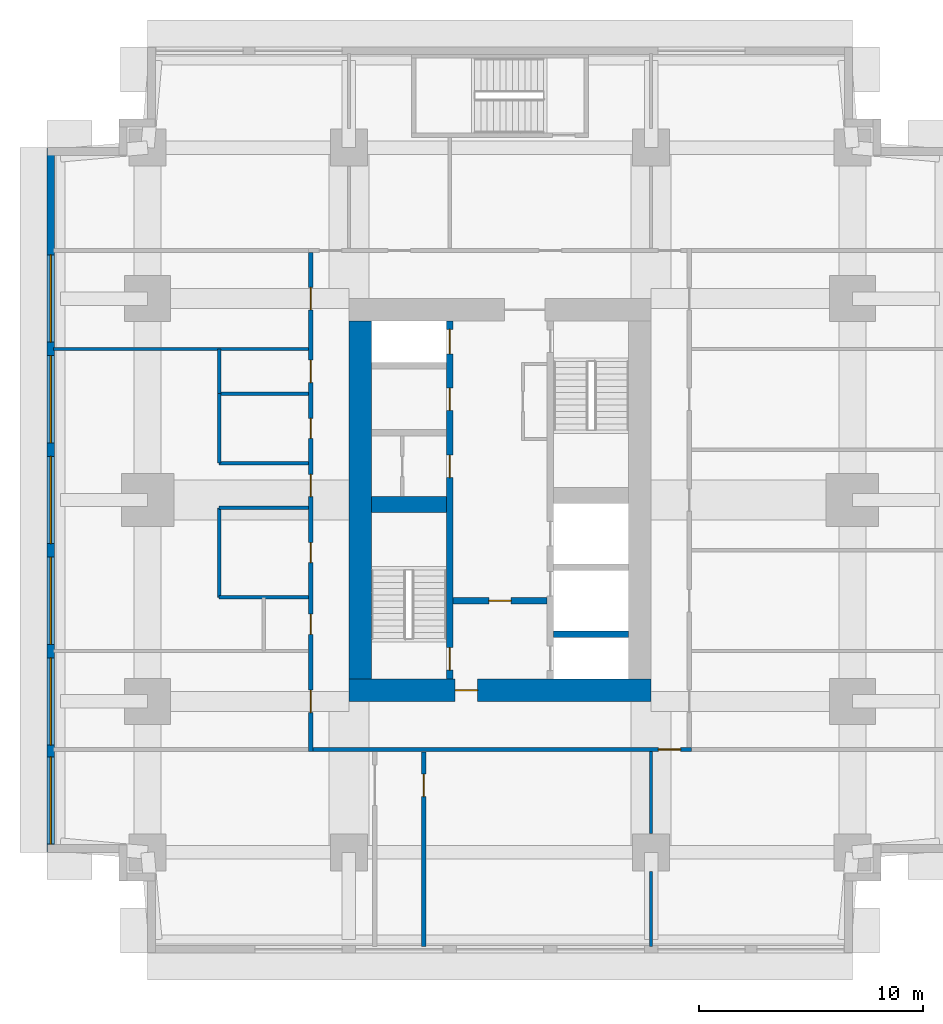
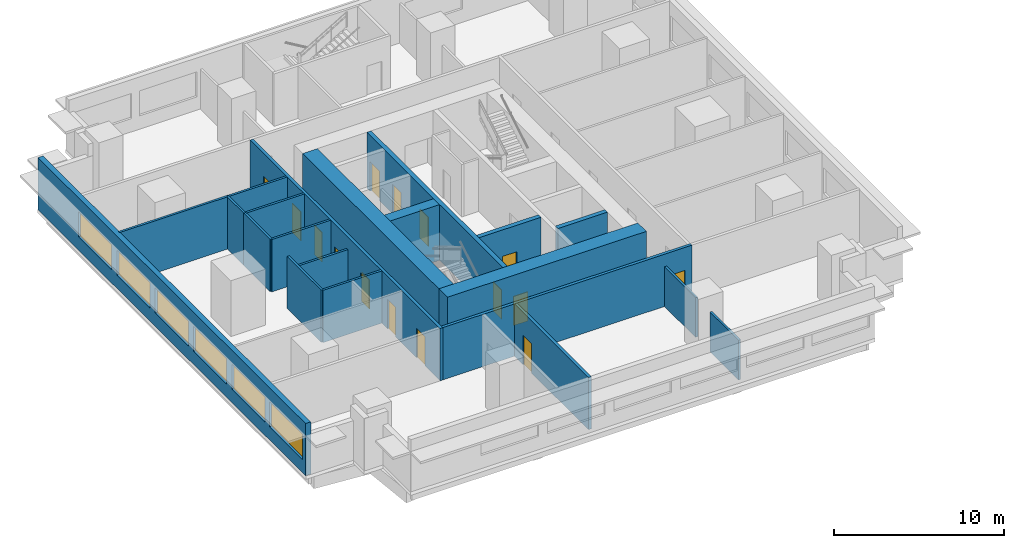
# One storey, part 3 of 11: 20 walls, 15 doors, 6 windows, 21 openings.
"""IFC4 building model written with IfcOpenShell, lengths in metres."""

import ifcopenshell
import ifcopenshell.guid

model = None  # the IFC model being written
_history = None  # IfcOwnerHistory: only IFC2X3 demands one
_inside = {}  # id of a spatial element -> (the spatial element, [elements in it])
_under = {}  # id of a project, library or spatial element -> (it, [spatial elements below it])
_declared = {}  # id of a project -> (the project, [libraries it declares])
_typed = {}  # id of a type object -> (the type object, [elements of that type])
_made_of = {}  # id of a material, layer set ... -> (it, [elements and type objects made of it])


def new_model(schema):
    """Start an empty IFC model of exactly this schema.

    Asked for "IFC4X3", IfcOpenShell would pick the latest addendum, in which some entities
    have other attributes; the version numbers below select the first issue.
    IFC2X3 requires an IfcOwnerHistory on every rooted entity: one is made here for all.
    """
    global model, _history
    if schema == "IFC4X3":
        model = ifcopenshell.file(schema_version=(4, 3, 0, 0))
    else:
        model = ifcopenshell.file(schema=schema)
    _inside.clear()
    _under.clear()
    _declared.clear()
    _typed.clear()
    _made_of.clear()
    _history = None
    if model.schema == "IFC2X3":
        org = make("IfcOrganization", Name="unknown")
        user = make(
            "IfcPersonAndOrganization",
            ThePerson=make("IfcPerson", FamilyName="unknown"),
            TheOrganization=org,
        )
        app = make(
            "IfcApplication",
            ApplicationDeveloper=org,
            Version="unknown",
            ApplicationFullName="unknown",
            ApplicationIdentifier="unknown",
        )
        _history = make(
            "IfcOwnerHistory",
            OwningUser=user,
            OwningApplication=app,
            ChangeAction="ADDED",
            CreationDate=0,
        )
    return model


def make(cls, **values):
    """One entity of the class cls with the attributes given. An attribute that is None is left unset."""
    return model.create_entity(
        cls, **{name: value for name, value in values.items() if value is not None}
    )


def rooted(cls, **values):
    """An entity with a GlobalId (a new one), such as an element, a storey or a relation."""
    return make(cls, GlobalId=ifcopenshell.guid.new(), OwnerHistory=_history, **values)


def si_unit(unit_type, name, prefix=None):
    """IfcSIUnit, for example si_unit("LENGTHUNIT", "METRE", prefix="MILLI")."""
    return make("IfcSIUnit", UnitType=unit_type, Prefix=prefix, Name=name)


def assignment(units):
    """IfcUnitAssignment: the units of a project."""
    return None if units is None else make("IfcUnitAssignment", Units=units)


def point(xyz):
    """IfcCartesianPoint."""
    return None if xyz is None else make("IfcCartesianPoint", Coordinates=xyz)


def direction(xyz):
    """IfcDirection."""
    return None if xyz is None else make("IfcDirection", DirectionRatios=xyz)


def frame(location, z_axis=None, x_axis=None):
    """IfcAxis2Placement3D, a coordinate frame: its origin and axes. An axis left out is left unset."""
    return make(
        "IfcAxis2Placement3D",
        Location=point(location),
        Axis=direction(z_axis),
        RefDirection=direction(x_axis),
    )


def frame_2d(location, x_axis=None):
    """IfcAxis2Placement2D, a coordinate frame in the plane: its origin and x axis."""
    return make(
        "IfcAxis2Placement2D", Location=point(location), RefDirection=direction(x_axis)
    )


def origin():
    """The frame at (0, 0, 0) with its axes left unset."""
    return frame((0.0, 0.0, 0.0))


def place(relative_to, where):
    """IfcLocalPlacement: puts the frame where relative to a parent placement (None: the world)."""
    return make(
        "IfcLocalPlacement", PlacementRelTo=relative_to, RelativePlacement=where
    )


def context(
    kind, dimensions, precision=None, world=None, true_north=None, identifier=None
):
    """IfcGeometricRepresentationContext, for example the 3D "Model" context."""
    return make(
        "IfcGeometricRepresentationContext",
        ContextIdentifier=identifier,
        ContextType=kind,
        CoordinateSpaceDimension=dimensions,
        Precision=precision,
        WorldCoordinateSystem=world,
        TrueNorth=true_north,
    )


def subcontext(parent, identifier, kind, view, scale=None):
    """IfcGeometricRepresentationSubContext, for example "Body" below "Model"."""
    return make(
        "IfcGeometricRepresentationSubContext",
        ContextIdentifier=identifier,
        ContextType=kind,
        ParentContext=parent,
        TargetScale=scale,
        TargetView=view,
    )


def project(units=None, contexts=None):
    """IfcProject with its units and contexts."""
    return rooted(
        "IfcProject",
        Name="project",
        RepresentationContexts=contexts,
        UnitsInContext=assignment(units),
    )


def spatial(cls, under=None, at=None, **own):
    """A site, building, storey or space (cls), placed at a placement, below another one or the project."""
    s = rooted(cls, ObjectPlacement=at, **own)
    if under is not None:
        _under.setdefault(under.id(), (under, []))[1].append(s)
    return s


def profile(cls, at=None, kind="AREA", **sizes):
    """A parametric profile (cls). Its sizes go by their IFC names, for example OverallWidth=200.0."""
    return make(cls, ProfileType=kind, Position=at, **sizes)


def rectangle(**sizes):
    """IfcRectangleProfileDef."""
    return profile("IfcRectangleProfileDef", **sizes)


def extrude(swept, where, along, depth):
    """IfcExtrudedAreaSolid: the profile swept, set in the frame where, extruded along a direction by depth."""
    return make(
        "IfcExtrudedAreaSolid",
        SweptArea=swept,
        Position=where,
        ExtrudedDirection=direction(along),
        Depth=depth,
    )


def shape(context_of_items, identifier, shape_type, items):
    """IfcShapeRepresentation: the items that make up one representation, for example the "Body"."""
    return make(
        "IfcShapeRepresentation",
        ContextOfItems=context_of_items,
        RepresentationIdentifier=identifier,
        RepresentationType=shape_type,
        Items=items,
    )


def material(Name=None, Category=None):
    """IfcMaterial."""
    return make("IfcMaterial", Name=Name, Category=Category)


def layer(
    of_material, thickness, ventilated=None, Name=None, Category=None, Priority=None
):
    """IfcMaterialLayer: one layer of a wall or slab, of a material (None: an air gap)."""
    return make(
        "IfcMaterialLayer",
        Material=of_material,
        LayerThickness=thickness,
        IsVentilated=ventilated,
        Name=Name,
        Category=Category,
        Priority=Priority,
    )


def layer_set(layers, Name=None):
    """IfcMaterialLayerSet."""
    return make("IfcMaterialLayerSet", MaterialLayers=layers, LayerSetName=Name)


def made_of(thing, what):
    """Note that an element or type object is made of a material, layer set ...; save() writes the relation."""
    if what is not None:
        _made_of.setdefault(what.id(), (what, []))[1].append(thing)
    return thing


def type_object(cls, material=None, **own):
    """A type object (cls), such as IfcWallType, which elements share."""
    return made_of(rooted(cls, **own), material)


def element(
    cls,
    number,
    at=None,
    inside=None,
    cuts=None,
    type_object=None,
    material=None,
    context=None,
    identifier="Body",
    shape_type=None,
    held_by="IfcProductDefinitionShape",
    body=None,
    shapes=None,
    **own,
):
    """One element of the class cls, such as IfcWall. Its Tag is "e" and its number.

    at: its placement. inside: the storey or other place that contains it. cuts: it is an
    opening in that element (IfcRelVoidsElement). A single representation is given by context,
    identifier, shape_type and body (its items); several are given by shapes. held_by: the class
    of the entity that holds the representations. save() writes the other relations.
    """
    e = rooted(cls, Tag="e%d" % number, ObjectPlacement=at, **own)
    if body is not None:
        shapes = [shape(context, identifier, shape_type, body)]
    if shapes is not None:
        e.Representation = make(held_by, Representations=shapes)
    if inside is not None:
        _inside.setdefault(inside.id(), (inside, []))[1].append(e)
    if cuts is not None:
        rooted(
            "IfcRelVoidsElement", RelatingBuildingElement=cuts, RelatedOpeningElement=e
        )
    if type_object is not None:
        _typed.setdefault(type_object.id(), (type_object, []))[1].append(e)
    return made_of(e, material)


def fill(opening, filler):
    """IfcRelFillsElement: the door or window that sits in an opening."""
    return rooted(
        "IfcRelFillsElement",
        RelatingOpeningElement=opening,
        RelatedBuildingElement=filler,
    )


def aggregate(whole, parts):
    """IfcRelAggregates: a whole, such as a stair, and the parts it consists of."""
    return rooted("IfcRelAggregates", RelatingObject=whole, RelatedObjects=parts)


def save(model, path):
    """Write the relations noted so far, then the file.

    IfcRelAggregates (storeys below a building ...), IfcRelContainedInSpatialStructure (elements
    in a storey), IfcRelDefinesByType, IfcRelAssociatesMaterial and IfcRelDeclares: one each for
    every whole, place, type object, material and project.
    """
    for whole, parts in _under.values():
        aggregate(whole, parts)
    for where, things in _inside.values():
        rooted(
            "IfcRelContainedInSpatialStructure",
            RelatedElements=things,
            RelatingStructure=where,
        )
    for kind, things in _typed.values():
        rooted("IfcRelDefinesByType", RelatedObjects=things, RelatingType=kind)
    for what, things in _made_of.values():
        rooted("IfcRelAssociatesMaterial", RelatedObjects=things, RelatingMaterial=what)
    for by, libraries in _declared.values():
        rooted("IfcRelDeclares", RelatingContext=by, RelatedDefinitions=libraries)
    model.write(path)


model = new_model("IFC4")

# Units and contexts
model_context = context("Model", 3, precision=1e-05, world=origin(), true_north=direction((0.0, 1.0)))
body_context = subcontext(model_context, "Body", "Model", "MODEL_VIEW")
ifc_project = project(units=[si_unit("LENGTHUNIT", "METRE"), si_unit("AREAUNIT", "SQUARE_METRE"), si_unit("VOLUMEUNIT", "CUBIC_METRE"), si_unit("PLANEANGLEUNIT", "RADIAN"), si_unit("MASSUNIT", "GRAM", prefix="KILO")], contexts=[model_context])

# Site, building, storey
site_placement = place(None, origin())
site = spatial("IfcSite", under=ifc_project, at=site_placement, CompositionType="ELEMENT")
building_placement = place(site_placement, origin())
building = spatial("IfcBuilding", under=site, at=building_placement, Name="Namib Vertical Campus", CompositionType="ELEMENT")
storey_placement = place(building_placement, frame((0.0, 0.0, 181.0)))
storey = spatial("IfcBuildingStorey", under=building, at=storey_placement, Name="L42", CompositionType="ELEMENT", Elevation=181.0)

# Wall, openings, doors
ifc_material_1 = material(Name="Concrete C60/75", Category="concrete")
ifc_layer_1 = layer(ifc_material_1, 0.300048828125)
ifc_layer_set_1 = layer_set([ifc_layer_1], Name="Concrete C60/75")
wall_type_1 = type_object("IfcWallType", Name="Core inner wall 300", PredefinedType="SHEAR", material=ifc_layer_set_1)
wall_1_placement = place(storey_placement, frame((18.0, 12.25, 0.0), z_axis=(0.0, 0.0, 1.0), x_axis=(0.0, 1.0, 0.0)))
wall_1 = element("IfcWall", 1, at=wall_1_placement, inside=storey, type_object=wall_type_1, Name="Core inner wall A L42 W1", PredefinedType="SHEAR", context=body_context, shape_type="SweptSolid", body=[
    extrude(rectangle(XDim=16.0, YDim=0.300048828125, at=frame_2d((8.0, 0.0))), origin(), (0.0, 0.0, 1.0), 4.0),
])
opening_1_placement = place(wall_1_placement, frame((0.39990234375, 0.0, 0.0)))
opening_1 = element("IfcOpeningElement", 2, at=opening_1_placement, cuts=wall_1, Name="Opening FD1", PredefinedType="OPENING", context=body_context, shape_type="SweptSolid", body=[
    extrude(rectangle(XDim=1.0, YDim=2.10009765625, at=frame_2d((0.5, 1.050048828125))), frame((0.0, 0.159912109375, 0.0), z_axis=(0.0, -1.0, 0.0), x_axis=(1.0, 0.0, 0.0)), (0.0, 0.0, 1.0), 0.320068359375),
])
opening_2_placement = place(wall_1_placement, frame((14.52490234375, 0.0, 0.0)))
opening_2 = element("IfcOpeningElement", 3, at=opening_2_placement, cuts=wall_1, Name="Opening LD1", PredefinedType="OPENING", context=body_context, shape_type="SweptSolid", body=[
    extrude(rectangle(XDim=1.10009765625, YDim=2.10009765625, at=frame_2d((0.550048828125, 1.050048828125))), frame((0.0, 0.159912109375, 0.0), z_axis=(0.0, -1.0, 0.0), x_axis=(1.0, 0.0, 0.0)), (0.0, 0.0, 1.0), 0.320068359375),
])
opening_3_placement = place(wall_1_placement, frame((9.0, 0.0, 0.0)))
opening_3 = element("IfcOpeningElement", 4, at=opening_3_placement, cuts=wall_1, Name="Opening D1", PredefinedType="OPENING", context=body_context, shape_type="SweptSolid", body=[
    extrude(rectangle(XDim=1.0, YDim=2.10009765625, at=frame_2d((0.5, 1.050048828125))), frame((0.0, 0.159912109375, 0.0), z_axis=(0.0, -1.0, 0.0), x_axis=(1.0, 0.0, 0.0)), (0.0, 0.0, 1.0), 0.320068359375),
])
opening_4_placement = place(wall_1_placement, frame((12.0, 0.0, 0.0)))
opening_4 = element("IfcOpeningElement", 5, at=opening_4_placement, cuts=wall_1, Name="Opening D1", PredefinedType="OPENING", context=body_context, shape_type="SweptSolid", body=[
    extrude(rectangle(XDim=1.0, YDim=2.10009765625, at=frame_2d((0.5, 1.050048828125))), frame((0.0, 0.159912109375, 0.0), z_axis=(0.0, -1.0, 0.0), x_axis=(1.0, 0.0, 0.0)), (0.0, 0.0, 1.0), 0.320068359375),
])
ifc_material_2 = material(Name="Timber door leaf", Category="wood")
door_type_1 = type_object("IfcDoorType", Name="Door single 1000x2100", OperationType="SINGLE_SWING_LEFT", PredefinedType="DOOR", material=ifc_material_2)
door_1_placement = place(opening_3_placement, origin())
door_1 = element("IfcDoor", 6, at=door_1_placement, inside=storey, type_object=door_type_1, Name="Door D1 Store A L42 P1", OperationType="SINGLE_SWING_LEFT", OverallHeight=2.10009765625, OverallWidth=1.0, PredefinedType="DOOR", context=body_context, shape_type="SweptSolid", body=[
    extrude(rectangle(XDim=1.0, YDim=2.10009765625, at=frame_2d((0.5, 1.050048828125))), frame((0.0, 0.02490234375, 0.0), z_axis=(0.0, -1.0, 0.0), x_axis=(1.0, 0.0, 0.0)), (0.0, 0.0, 1.0), 0.050048828125),
])
fill(opening_3, door_1)
door_2_placement = place(opening_4_placement, origin())
door_2 = element("IfcDoor", 7, at=door_2_placement, inside=storey, type_object=door_type_1, Name="Door D1 Cleaners' store A L42 P2", OperationType="SINGLE_SWING_LEFT", OverallHeight=2.10009765625, OverallWidth=1.0, PredefinedType="DOOR", context=body_context, shape_type="SweptSolid", body=[
    extrude(rectangle(XDim=1.0, YDim=2.10009765625, at=frame_2d((0.5, 1.050048828125))), frame((0.0, 0.02490234375, 0.0), z_axis=(0.0, -1.0, 0.0), x_axis=(1.0, 0.0, 0.0)), (0.0, 0.0, 1.0), 0.050048828125),
])
fill(opening_4, door_2)
ifc_material_3 = material(Name="Steel fire door", Category="steel")
door_type_2 = type_object("IfcDoorType", Name="Fire door 1000x2100", OperationType="SINGLE_SWING_RIGHT", PredefinedType="DOOR", material=ifc_material_3)
door_3_placement = place(opening_1_placement, origin())
door_3 = element("IfcDoor", 8, at=door_3_placement, inside=storey, type_object=door_type_2, Name="Stair door FD1 A L42 S1", OperationType="SINGLE_SWING_LEFT", OverallHeight=2.10009765625, OverallWidth=1.0, PredefinedType="DOOR", context=body_context, shape_type="SweptSolid", body=[
    extrude(rectangle(XDim=1.0, YDim=2.10009765625, at=frame_2d((0.5, 1.050048828125))), frame((0.0, 0.02490234375, 0.0), z_axis=(0.0, -1.0, 0.0), x_axis=(1.0, 0.0, 0.0)), (0.0, 0.0, 1.0), 0.050048828125),
])
fill(opening_1, door_3)
ifc_material_4 = material(Name="Stainless steel lift door", Category="steel")
door_type_3 = type_object("IfcDoorType", Name="Lift landing door 1100x2100", OperationType="DOUBLE_DOOR_SLIDING", PredefinedType="DOOR", material=ifc_material_4)
door_4_placement = place(opening_2_placement, origin())
door_4 = element("IfcDoor", 9, at=door_4_placement, inside=storey, type_object=door_type_3, Name="Lift landing door LD1 A-P3 L42", OperationType="DOUBLE_DOOR_SLIDING", OverallHeight=2.10009765625, OverallWidth=1.10009765625, PredefinedType="DOOR", context=body_context, shape_type="SweptSolid", body=[
    extrude(rectangle(XDim=1.10009765625, YDim=2.10009765625, at=frame_2d((0.550048828125, 1.050048828125))), frame((0.0, 0.02490234375, 0.0), z_axis=(0.0, -1.0, 0.0), x_axis=(1.0, 0.0, 0.0)), (0.0, 0.0, 1.0), 0.050048828125),
])
fill(opening_2, door_4)

# Wall, opening, door
wall_2_placement = place(storey_placement, frame((18.14990234375, 15.75, 0.0), z_axis=(0.0, 0.0, 1.0), x_axis=(1.0, 0.0, 0.0)))
wall_2 = element("IfcWall", 10, at=wall_2_placement, inside=storey, type_object=wall_type_1, Name="Core inner wall A L42 W4", PredefinedType="SHEAR", context=body_context, shape_type="SweptSolid", body=[
    extrude(rectangle(XDim=4.2001953125, YDim=0.300048828125, at=frame_2d((2.10009765625, 0.0))), origin(), (0.0, 0.0, 1.0), 4.0),
])
opening_5_placement = place(wall_2_placement, frame((1.60009765625, 0.0, 0.0)))
opening_5 = element("IfcOpeningElement", 11, at=opening_5_placement, cuts=wall_2, Name="Opening FD5", PredefinedType="OPENING", context=body_context, shape_type="SweptSolid", body=[
    extrude(rectangle(XDim=1.0, YDim=2.10009765625, at=frame_2d((0.5, 1.050048828125))), frame((0.0, 0.159912109375, 0.0), z_axis=(0.0, -1.0, 0.0), x_axis=(1.0, 0.0, 0.0)), (0.0, 0.0, 1.0), 0.320068359375),
])
ifc_material_5 = material(Name="Steel fire door", Category="steel")
door_type_4 = type_object("IfcDoorType", Name="Fire door 1000x2100 120 min", OperationType="SINGLE_SWING_RIGHT", PredefinedType="DOOR", material=ifc_material_5)
door_5_placement = place(opening_5_placement, frame((1.0, 0.0, 0.0), z_axis=(0.0, 0.0, 1.0), x_axis=(-1.0, 0.0, 0.0)))
door_5 = element("IfcDoor", 12, at=door_5_placement, inside=storey, type_object=door_type_4, Name="Lobby door FD5 A L42", OperationType="SINGLE_SWING_RIGHT", OverallHeight=2.10009765625, OverallWidth=1.0, PredefinedType="DOOR", context=body_context, shape_type="SweptSolid", body=[
    extrude(rectangle(XDim=1.0, YDim=2.10009765625, at=frame_2d((0.5, 1.050048828125))), frame((0.0, 0.02490234375, 0.0), z_axis=(0.0, -1.0, 0.0), x_axis=(1.0, 0.0, 0.0)), (0.0, 0.0, 1.0), 0.050048828125),
])
fill(opening_5, door_5)

# Walls
wall_3_placement = place(storey_placement, frame((22.64990234375, 14.25, 0.0), z_axis=(0.0, 0.0, 1.0), x_axis=(1.0, 0.0, 0.0)))
element("IfcWall", 13, at=wall_3_placement, inside=storey, type_object=wall_type_1, Name="Core inner wall A L42 W5", PredefinedType="SHEAR", context=body_context, shape_type="SweptSolid", body=[
    extrude(rectangle(XDim=3.35009765625, YDim=0.300048828125, at=frame_2d((1.675048828125, 0.0))), origin(), (0.0, 0.0, 1.0), 4.0),
])
ifc_material_6 = material(Name="Concrete C60/75", Category="concrete")
ifc_layer_2 = layer(ifc_material_6, 0.699951171875)
ifc_layer_set_2 = layer_set([ifc_layer_2], Name="Concrete C60/75")
wall_type_2 = type_object("IfcWallType", Name="Core shear wall 700", PredefinedType="SHEAR", material=ifc_layer_set_2)
wall_4_placement = place(storey_placement, frame((14.5, 20.050048828125, 0.0), z_axis=(0.0, 0.0, 1.0), x_axis=(1.0, 0.0, 0.0)))
element("IfcWall", 14, at=wall_4_placement, inside=storey, type_object=wall_type_2, Name="Core shear wall A L42 W3", PredefinedType="SHEAR", context=body_context, shape_type="SweptSolid", body=[
    extrude(rectangle(XDim=3.35009765625, YDim=0.699951171875, at=frame_2d((1.675048828125, 0.0))), origin(), (0.0, 0.0, 1.0), 4.0),
])

# Wall, opening, door
ifc_material_7 = material(Name="Concrete C60/75", Category="concrete")
ifc_layer_3 = layer(ifc_material_7, 1.0)
ifc_layer_set_3 = layer_set([ifc_layer_3], Name="Concrete C60/75")
wall_type_3 = type_object("IfcWallType", Name="Core wall 1000", PredefinedType="SHEAR", material=ifc_layer_set_3)
wall_5_placement = place(storey_placement, frame((13.5, 11.75, 0.0), z_axis=(0.0, 0.0, 1.0), x_axis=(1.0, 0.0, 0.0)))
wall_5 = element("IfcWall", 15, at=wall_5_placement, inside=storey, type_object=wall_type_3, Name="Core wall A L42 1", PredefinedType="SHEAR", context=body_context, shape_type="SweptSolid", body=[
    extrude(rectangle(XDim=13.5, YDim=1.0, at=frame_2d((6.75, 0.0))), origin(), (0.0, 0.0, 1.0), 4.0),
])
opening_6_placement = place(wall_5_placement, frame((4.75, 0.0, 0.0)))
opening_6 = element("IfcOpeningElement", 16, at=opening_6_placement, cuts=wall_5, Name="Opening FD5", PredefinedType="OPENING", context=body_context, shape_type="SweptSolid", body=[
    extrude(rectangle(XDim=1.0, YDim=2.10009765625, at=frame_2d((0.5, 1.050048828125))), frame((0.0, 0.510009765625, 0.0), z_axis=(0.0, -1.0, 0.0), x_axis=(1.0, 0.0, 0.0)), (0.0, 0.0, 1.0), 1.02001953125),
])
door_6_placement = place(opening_6_placement, origin())
door_6 = element("IfcDoor", 17, at=door_6_placement, inside=storey, type_object=door_type_4, Name="Firefighting lobby door FD5 A L42", OperationType="SINGLE_SWING_LEFT", OverallHeight=2.10009765625, OverallWidth=1.0, PredefinedType="DOOR", context=body_context, shape_type="SweptSolid", body=[
    extrude(rectangle(XDim=1.0, YDim=2.10009765625, at=frame_2d((0.5, 1.050048828125))), frame((0.0, 0.02490234375, 0.0), z_axis=(0.0, -1.0, 0.0), x_axis=(1.0, 0.0, 0.0)), (0.0, 0.0, 1.0), 0.050048828125),
])
fill(opening_6, door_6)

# Wall
wall_6_placement = place(storey_placement, frame((14.0, 28.25, 0.0), z_axis=(0.0, 0.0, 1.0), x_axis=(0.0, -1.0, 0.0)))
element("IfcWall", 18, at=wall_6_placement, inside=storey, type_object=wall_type_3, Name="Core wall A L42 4", PredefinedType="SHEAR", context=body_context, shape_type="SweptSolid", body=[
    extrude(rectangle(XDim=16.0, YDim=1.0, at=frame_2d((8.0, 0.0))), origin(), (0.0, 0.0, 1.0), 4.0),
])

# Wall, opening, door
ifc_material_8 = material(Name="Concrete masonry", Category="masonry")
ifc_layer_4 = layer(ifc_material_8, 0.199951171875)
ifc_layer_set_4 = layer_set([ifc_layer_4], Name="Corridor wall 200")
wall_type_4 = type_object("IfcWallType", Name="Corridor wall 200", PredefinedType="SOLIDWALL", material=ifc_layer_set_4)
wall_7_placement = place(storey_placement, frame((11.89990234375, 9.10009765625, 0.0), z_axis=(0.0, 0.0, 1.0), x_axis=(1.0, 0.0, 0.0)))
wall_7 = element("IfcWall", 19, at=wall_7_placement, inside=storey, type_object=wall_type_4, Name="Corridor wall A L42 CS", PredefinedType="SOLIDWALL", context=body_context, shape_type="SweptSolid", body=[
    extrude(rectangle(XDim=16.900146484375, YDim=0.199951171875, at=frame_2d((8.4501953125, 0.0))), origin(), (0.0, 0.0, 1.0), 3.75),
])
opening_7_placement = place(wall_7_placement, frame((15.425048828125, 0.0, 0.0)))
opening_7 = element("IfcOpeningElement", 20, at=opening_7_placement, cuts=wall_7, Name="Opening CD1", PredefinedType="OPENING", context=body_context, shape_type="SweptSolid", body=[
    extrude(rectangle(XDim=1.0, YDim=2.10009765625, at=frame_2d((0.5, 1.050048828125))), frame((0.0, 0.10986328125, 0.0), z_axis=(0.0, -1.0, 0.0), x_axis=(1.0, 0.0, 0.0)), (0.0, 0.0, 1.0), 0.219970703125),
])
ifc_material_9 = material(Name="Timber fire door leaf", Category="wood")
door_type_5 = type_object("IfcDoorType", Name="Corridor door 1000x2100 20 min", OperationType="SINGLE_SWING_LEFT", PredefinedType="DOOR", material=ifc_material_9)
door_7_placement = place(opening_7_placement, frame((1.0, 0.0, 0.0), z_axis=(0.0, 0.0, 1.0), x_axis=(-1.0, 0.0, 0.0)))
door_7 = element("IfcDoor", 21, at=door_7_placement, inside=storey, type_object=door_type_5, Name="Door CD1 A42-03", OperationType="SINGLE_SWING_RIGHT", OverallHeight=2.10009765625, OverallWidth=1.0, PredefinedType="DOOR", context=body_context, shape_type="SweptSolid", body=[
    extrude(rectangle(XDim=1.0, YDim=2.10009765625, at=frame_2d((0.5, 1.050048828125))), frame((0.0, 0.02490234375, 0.0), z_axis=(0.0, -1.0, 0.0), x_axis=(1.0, 0.0, 0.0)), (0.0, 0.0, 1.0), 0.050048828125),
])
fill(opening_7, door_7)

# Wall, openings, doors
wall_8_placement = place(storey_placement, frame((11.800048828125, 31.300048828125, 0.0), z_axis=(0.0, 0.0, 1.0), x_axis=(0.0, -1.0, 0.0)))
wall_8 = element("IfcWall", 22, at=wall_8_placement, inside=storey, type_object=wall_type_4, Name="Corridor wall A L42 CW", PredefinedType="SOLIDWALL", context=body_context, shape_type="SweptSolid", body=[
    extrude(rectangle(XDim=22.300048828125, YDim=0.199951171875, at=frame_2d((11.14990234375, 0.0))), origin(), (0.0, 0.0, 1.0), 3.75),
])
opening_8_placement = place(wall_8_placement, frame((19.550048828125, 0.0, 0.0)))
opening_8 = element("IfcOpeningElement", 23, at=opening_8_placement, cuts=wall_8, Name="Opening CD1", PredefinedType="OPENING", context=body_context, shape_type="SweptSolid", body=[
    extrude(rectangle(XDim=1.0, YDim=2.10009765625, at=frame_2d((0.5, 1.050048828125))), frame((0.0, 0.10986328125, 0.0), z_axis=(0.0, -1.0, 0.0), x_axis=(1.0, 0.0, 0.0)), (0.0, 0.0, 1.0), 0.219970703125),
])
opening_9_placement = place(wall_8_placement, frame((16.14990234375, 0.0, 0.0)))
opening_9 = element("IfcOpeningElement", 24, at=opening_9_placement, cuts=wall_8, Name="Opening CD3", PredefinedType="OPENING", context=body_context, shape_type="SweptSolid", body=[
    extrude(rectangle(XDim=0.89990234375, YDim=2.10009765625, at=frame_2d((0.449951171875, 1.050048828125))), frame((0.0, 0.10986328125, 0.0), z_axis=(0.0, -1.0, 0.0), x_axis=(1.0, 0.0, 0.0)), (0.0, 0.0, 1.0), 0.219970703125),
])
opening_10_placement = place(wall_8_placement, frame((12.949951171875, 0.0, 0.0)))
opening_10 = element("IfcOpeningElement", 25, at=opening_10_placement, cuts=wall_8, Name="Opening CD3", PredefinedType="OPENING", context=body_context, shape_type="SweptSolid", body=[
    extrude(rectangle(XDim=0.89990234375, YDim=2.10009765625, at=frame_2d((0.449951171875, 1.050048828125))), frame((0.0, 0.10986328125, 0.0), z_axis=(0.0, -1.0, 0.0), x_axis=(1.0, 0.0, 0.0)), (0.0, 0.0, 1.0), 0.219970703125),
])
opening_11_placement = place(wall_8_placement, frame((7.39990234375, 0.0, 0.0)))
opening_11 = element("IfcOpeningElement", 26, at=opening_11_placement, cuts=wall_8, Name="Opening CD3", PredefinedType="OPENING", context=body_context, shape_type="SweptSolid", body=[
    extrude(rectangle(XDim=0.89990234375, YDim=2.10009765625, at=frame_2d((0.449951171875, 1.050048828125))), frame((0.0, 0.10986328125, 0.0), z_axis=(0.0, -1.0, 0.0), x_axis=(1.0, 0.0, 0.0)), (0.0, 0.0, 1.0), 0.219970703125),
])
opening_12_placement = place(wall_8_placement, frame((4.800048828125, 0.0, 0.0)))
opening_12 = element("IfcOpeningElement", 27, at=opening_12_placement, cuts=wall_8, Name="Opening CD1", PredefinedType="OPENING", context=body_context, shape_type="SweptSolid", body=[
    extrude(rectangle(XDim=1.0, YDim=2.10009765625, at=frame_2d((0.5, 1.050048828125))), frame((0.0, 0.10986328125, 0.0), z_axis=(0.0, -1.0, 0.0), x_axis=(1.0, 0.0, 0.0)), (0.0, 0.0, 1.0), 0.219970703125),
])
opening_13_placement = place(wall_8_placement, frame((9.89990234375, 0.0, 0.0)))
opening_13 = element("IfcOpeningElement", 28, at=opening_13_placement, cuts=wall_8, Name="Opening CD1", PredefinedType="OPENING", context=body_context, shape_type="SweptSolid", body=[
    extrude(rectangle(XDim=1.0, YDim=2.10009765625, at=frame_2d((0.5, 1.050048828125))), frame((0.0, 0.10986328125, 0.0), z_axis=(0.0, -1.0, 0.0), x_axis=(1.0, 0.0, 0.0)), (0.0, 0.0, 1.0), 0.219970703125),
])
opening_14_placement = place(wall_8_placement, frame((1.550048828125, 0.0, 0.0)))
opening_14 = element("IfcOpeningElement", 29, at=opening_14_placement, cuts=wall_8, Name="Opening CD1", PredefinedType="OPENING", context=body_context, shape_type="SweptSolid", body=[
    extrude(rectangle(XDim=1.0, YDim=2.10009765625, at=frame_2d((0.5, 1.050048828125))), frame((0.0, 0.10986328125, 0.0), z_axis=(0.0, -1.0, 0.0), x_axis=(1.0, 0.0, 0.0)), (0.0, 0.0, 1.0), 0.219970703125),
])
door_8_placement = place(opening_8_placement, frame((1.0, 0.0, 0.0), z_axis=(0.0, 0.0, 1.0), x_axis=(-1.0, 0.0, 0.0)))
door_8 = element("IfcDoor", 30, at=door_8_placement, inside=storey, type_object=door_type_5, Name="Door CD1 A42-13", OperationType="SINGLE_SWING_RIGHT", OverallHeight=2.10009765625, OverallWidth=1.0, PredefinedType="DOOR", context=body_context, shape_type="SweptSolid", body=[
    extrude(rectangle(XDim=1.0, YDim=2.10009765625, at=frame_2d((0.5, 1.050048828125))), frame((0.0, 0.02490234375, 0.0), z_axis=(0.0, -1.0, 0.0), x_axis=(1.0, 0.0, 0.0)), (0.0, 0.0, 1.0), 0.050048828125),
])
fill(opening_8, door_8)
door_9_placement = place(opening_12_placement, frame((1.0, 0.0, 0.0), z_axis=(0.0, 0.0, 1.0), x_axis=(-1.0, 0.0, 0.0)))
door_9 = element("IfcDoor", 31, at=door_9_placement, inside=storey, type_object=door_type_5, Name="Door CD1 A42-17", OperationType="SINGLE_SWING_RIGHT", OverallHeight=2.10009765625, OverallWidth=1.0, PredefinedType="DOOR", context=body_context, shape_type="SweptSolid", body=[
    extrude(rectangle(XDim=1.0, YDim=2.10009765625, at=frame_2d((0.5, 1.050048828125))), frame((0.0, 0.02490234375, 0.0), z_axis=(0.0, -1.0, 0.0), x_axis=(1.0, 0.0, 0.0)), (0.0, 0.0, 1.0), 0.050048828125),
])
fill(opening_12, door_9)
door_10_placement = place(opening_13_placement, frame((1.0, 0.0, 0.0), z_axis=(0.0, 0.0, 1.0), x_axis=(-1.0, 0.0, 0.0)))
door_10 = element("IfcDoor", 32, at=door_10_placement, inside=storey, type_object=door_type_5, Name="Door CD1 A42-18", OperationType="SINGLE_SWING_RIGHT", OverallHeight=2.10009765625, OverallWidth=1.0, PredefinedType="DOOR", context=body_context, shape_type="SweptSolid", body=[
    extrude(rectangle(XDim=1.0, YDim=2.10009765625, at=frame_2d((0.5, 1.050048828125))), frame((0.0, 0.02490234375, 0.0), z_axis=(0.0, -1.0, 0.0), x_axis=(1.0, 0.0, 0.0)), (0.0, 0.0, 1.0), 0.050048828125),
])
fill(opening_13, door_10)
door_11_placement = place(opening_14_placement, frame((1.0, 0.0, 0.0), z_axis=(0.0, 0.0, 1.0), x_axis=(-1.0, 0.0, 0.0)))
door_11 = element("IfcDoor", 33, at=door_11_placement, inside=storey, type_object=door_type_5, Name="Door CD1 A42-19", OperationType="SINGLE_SWING_RIGHT", OverallHeight=2.10009765625, OverallWidth=1.0, PredefinedType="DOOR", context=body_context, shape_type="SweptSolid", body=[
    extrude(rectangle(XDim=1.0, YDim=2.10009765625, at=frame_2d((0.5, 1.050048828125))), frame((0.0, 0.02490234375, 0.0), z_axis=(0.0, -1.0, 0.0), x_axis=(1.0, 0.0, 0.0)), (0.0, 0.0, 1.0), 0.050048828125),
])
fill(opening_14, door_11)
ifc_material_10 = material(Name="Timber fire door leaf", Category="wood")
door_type_6 = type_object("IfcDoorType", Name="Corridor toilet door 900x2100 20 min", OperationType="SINGLE_SWING_LEFT", PredefinedType="DOOR", material=ifc_material_10)
door_12_placement = place(opening_9_placement, frame((0.89990234375, 0.0, 0.0), z_axis=(0.0, 0.0, 1.0), x_axis=(-1.0, 0.0, 0.0)))
door_12 = element("IfcDoor", 34, at=door_12_placement, inside=storey, type_object=door_type_6, Name="Door CD3 A42-14", OperationType="SINGLE_SWING_RIGHT", OverallHeight=2.10009765625, OverallWidth=0.89990234375, PredefinedType="DOOR", context=body_context, shape_type="SweptSolid", body=[
    extrude(rectangle(XDim=0.89990234375, YDim=2.10009765625, at=frame_2d((0.449951171875, 1.050048828125))), frame((0.0, 0.02490234375, 0.0), z_axis=(0.0, -1.0, 0.0), x_axis=(1.0, 0.0, 0.0)), (0.0, 0.0, 1.0), 0.050048828125),
])
fill(opening_9, door_12)
door_13_placement = place(opening_10_placement, frame((0.89990234375, 0.0, 0.0), z_axis=(0.0, 0.0, 1.0), x_axis=(-1.0, 0.0, 0.0)))
door_13 = element("IfcDoor", 35, at=door_13_placement, inside=storey, type_object=door_type_6, Name="Door CD3 A42-15", OperationType="SINGLE_SWING_RIGHT", OverallHeight=2.10009765625, OverallWidth=0.89990234375, PredefinedType="DOOR", context=body_context, shape_type="SweptSolid", body=[
    extrude(rectangle(XDim=0.89990234375, YDim=2.10009765625, at=frame_2d((0.449951171875, 1.050048828125))), frame((0.0, 0.02490234375, 0.0), z_axis=(0.0, -1.0, 0.0), x_axis=(1.0, 0.0, 0.0)), (0.0, 0.0, 1.0), 0.050048828125),
])
fill(opening_10, door_13)
door_14_placement = place(opening_11_placement, frame((0.89990234375, 0.0, 0.0), z_axis=(0.0, 0.0, 1.0), x_axis=(-1.0, 0.0, 0.0)))
door_14 = element("IfcDoor", 36, at=door_14_placement, inside=storey, type_object=door_type_6, Name="Door CD3 A42-16", OperationType="SINGLE_SWING_RIGHT", OverallHeight=2.10009765625, OverallWidth=0.89990234375, PredefinedType="DOOR", context=body_context, shape_type="SweptSolid", body=[
    extrude(rectangle(XDim=0.89990234375, YDim=2.10009765625, at=frame_2d((0.449951171875, 1.050048828125))), frame((0.0, 0.02490234375, 0.0), z_axis=(0.0, -1.0, 0.0), x_axis=(1.0, 0.0, 0.0)), (0.0, 0.0, 1.0), 0.050048828125),
])
fill(opening_11, door_14)

# Wall, opening, door
wall_9_placement = place(storey_placement, frame((16.85009765625, 9.0, 0.0), z_axis=(0.0, 0.0, 1.0), x_axis=(0.0, -1.0, 0.0)))
wall_9 = element("IfcWall", 37, at=wall_9_placement, inside=storey, type_object=wall_type_4, Name="Corridor wall A L42 SPS2", PredefinedType="SOLIDWALL", context=body_context, shape_type="SweptSolid", body=[
    extrude(rectangle(XDim=8.699951171875, YDim=0.199951171875, at=frame_2d((4.35009765625, 0.0))), origin(), (0.0, 0.0, 1.0), 3.75),
])
opening_15_placement = place(wall_9_placement, frame((1.0, 0.0, 0.0)))
opening_15 = element("IfcOpeningElement", 38, at=opening_15_placement, cuts=wall_9, Name="Opening CD1", PredefinedType="OPENING", context=body_context, shape_type="SweptSolid", body=[
    extrude(rectangle(XDim=1.0, YDim=2.10009765625, at=frame_2d((0.5, 1.050048828125))), frame((0.0, 0.10986328125, 0.0), z_axis=(0.0, -1.0, 0.0), x_axis=(1.0, 0.0, 0.0)), (0.0, 0.0, 1.0), 0.219970703125),
])
door_15_placement = place(opening_15_placement, origin())
door_15 = element("IfcDoor", 39, at=door_15_placement, inside=storey, type_object=door_type_5, Name="Door CD1 A42-02", OperationType="SINGLE_SWING_LEFT", OverallHeight=2.10009765625, OverallWidth=1.0, PredefinedType="DOOR", context=body_context, shape_type="SweptSolid", body=[
    extrude(rectangle(XDim=1.0, YDim=2.10009765625, at=frame_2d((0.5, 1.050048828125))), frame((0.0, 0.02490234375, 0.0), z_axis=(0.0, -1.0, 0.0), x_axis=(1.0, 0.0, 0.0)), (0.0, 0.0, 1.0), 0.050048828125),
])
fill(opening_15, door_15)

# Wall, openings, windows
ifc_material_11 = material(Name="Concrete C40/50", Category="concrete")
ifc_layer_5 = layer(ifc_material_11, 0.35009765625)
ifc_layer_set_5 = layer_set([ifc_layer_5], Name="Concrete C40/50")
wall_type_5 = type_object("IfcWallType", Name="External wall 350 bush-hammered concrete", PredefinedType="STANDARD", material=ifc_layer_set_5)
wall_10_placement = place(storey_placement, frame((0.175048828125, 35.97998046875, 0.0), z_axis=(0.0, 0.0, 1.0), x_axis=(0.0, -1.0, 0.0)))
wall_10 = element("IfcWall", 40, at=wall_10_placement, inside=storey, type_object=wall_type_5, Name="External wall L42 F16", PredefinedType="STANDARD", context=body_context, shape_type="SweptSolid", body=[
    extrude(rectangle(XDim=31.4599609375, YDim=0.35009765625, at=frame_2d((15.72998046875, 0.0))), origin(), (0.0, 0.0, 1.0), 3.75),
])
opening_16_placement = place(wall_10_placement, frame((27.2099609375, 0.0, 0.949951171875)))
opening_16 = element("IfcOpeningElement", 41, at=opening_16_placement, cuts=wall_10, Name="Opening W3", PredefinedType="OPENING", context=body_context, shape_type="SweptSolid", body=[
    extrude(rectangle(XDim=3.89990234375, YDim=1.800048828125, at=frame_2d((1.949951171875, 0.89990234375))), frame((0.0, 0.18505859375, 0.0), z_axis=(0.0, -1.0, 0.0), x_axis=(1.0, 0.0, 0.0)), (0.0, 0.0, 1.0), 0.3701171875),
])
opening_17_placement = place(wall_10_placement, frame((22.780029296875, 0.0, 0.949951171875)))
opening_17 = element("IfcOpeningElement", 42, at=opening_17_placement, cuts=wall_10, Name="Opening W3", PredefinedType="OPENING", context=body_context, shape_type="SweptSolid", body=[
    extrude(rectangle(XDim=3.89990234375, YDim=1.800048828125, at=frame_2d((1.949951171875, 0.89990234375))), frame((0.0, 0.18505859375, 0.0), z_axis=(0.0, -1.0, 0.0), x_axis=(1.0, 0.0, 0.0)), (0.0, 0.0, 1.0), 0.3701171875),
])
opening_18_placement = place(wall_10_placement, frame((18.280029296875, 0.0, 0.949951171875)))
opening_18 = element("IfcOpeningElement", 43, at=opening_18_placement, cuts=wall_10, Name="Opening W3", PredefinedType="OPENING", context=body_context, shape_type="SweptSolid", body=[
    extrude(rectangle(XDim=3.89990234375, YDim=1.800048828125, at=frame_2d((1.949951171875, 0.89990234375))), frame((0.0, 0.18505859375, 0.0), z_axis=(0.0, -1.0, 0.0), x_axis=(1.0, 0.0, 0.0)), (0.0, 0.0, 1.0), 0.3701171875),
])
opening_19_placement = place(wall_10_placement, frame((13.780029296875, 0.0, 0.949951171875)))
opening_19 = element("IfcOpeningElement", 44, at=opening_19_placement, cuts=wall_10, Name="Opening W3", PredefinedType="OPENING", context=body_context, shape_type="SweptSolid", body=[
    extrude(rectangle(XDim=3.89990234375, YDim=1.800048828125, at=frame_2d((1.949951171875, 0.89990234375))), frame((0.0, 0.18505859375, 0.0), z_axis=(0.0, -1.0, 0.0), x_axis=(1.0, 0.0, 0.0)), (0.0, 0.0, 1.0), 0.3701171875),
])
opening_20_placement = place(wall_10_placement, frame((9.280029296875, 0.0, 0.949951171875)))
opening_20 = element("IfcOpeningElement", 45, at=opening_20_placement, cuts=wall_10, Name="Opening W3", PredefinedType="OPENING", context=body_context, shape_type="SweptSolid", body=[
    extrude(rectangle(XDim=3.89990234375, YDim=1.800048828125, at=frame_2d((1.949951171875, 0.89990234375))), frame((0.0, 0.18505859375, 0.0), z_axis=(0.0, -1.0, 0.0), x_axis=(1.0, 0.0, 0.0)), (0.0, 0.0, 1.0), 0.3701171875),
])
opening_21_placement = place(wall_10_placement, frame((4.780029296875, 0.0, 0.949951171875)))
opening_21 = element("IfcOpeningElement", 46, at=opening_21_placement, cuts=wall_10, Name="Opening W3", PredefinedType="OPENING", context=body_context, shape_type="SweptSolid", body=[
    extrude(rectangle(XDim=3.89990234375, YDim=1.800048828125, at=frame_2d((1.949951171875, 0.89990234375))), frame((0.0, 0.18505859375, 0.0), z_axis=(0.0, -1.0, 0.0), x_axis=(1.0, 0.0, 0.0)), (0.0, 0.0, 1.0), 0.3701171875),
])
ifc_material_12 = material(Name="Dark tinted glass in black aluminium frame", Category="aluminium")
window_type = type_object("IfcWindowType", Name="Ribbon window 3900x1800", PartitioningType="SINGLE_PANEL", PredefinedType="WINDOW", material=ifc_material_12)
window_1_placement = place(opening_16_placement, origin())
window_1 = element("IfcWindow", 47, at=window_1_placement, inside=storey, type_object=window_type, Name="Window W3 L42 F16-1", OverallHeight=1.800048828125, OverallWidth=3.89990234375, PartitioningType="SINGLE_PANEL", PredefinedType="WINDOW", context=body_context, shape_type="SweptSolid", body=[
    extrude(rectangle(XDim=3.89990234375, YDim=1.800048828125, at=frame_2d((1.949951171875, 0.89990234375))), frame((0.0, 0.030029296875, 0.0), z_axis=(0.0, -1.0, 0.0), x_axis=(1.0, 0.0, 0.0)), (0.0, 0.0, 1.0), 0.06005859375),
])
fill(opening_16, window_1)
window_2_placement = place(opening_17_placement, origin())
window_2 = element("IfcWindow", 48, at=window_2_placement, inside=storey, type_object=window_type, Name="Window W3 L42 F16-2", OverallHeight=1.800048828125, OverallWidth=3.89990234375, PartitioningType="SINGLE_PANEL", PredefinedType="WINDOW", context=body_context, shape_type="SweptSolid", body=[
    extrude(rectangle(XDim=3.89990234375, YDim=1.800048828125, at=frame_2d((1.949951171875, 0.89990234375))), frame((0.0, 0.030029296875, 0.0), z_axis=(0.0, -1.0, 0.0), x_axis=(1.0, 0.0, 0.0)), (0.0, 0.0, 1.0), 0.06005859375),
])
fill(opening_17, window_2)
window_3_placement = place(opening_18_placement, origin())
window_3 = element("IfcWindow", 49, at=window_3_placement, inside=storey, type_object=window_type, Name="Window W3 L42 F16-3", OverallHeight=1.800048828125, OverallWidth=3.89990234375, PartitioningType="SINGLE_PANEL", PredefinedType="WINDOW", context=body_context, shape_type="SweptSolid", body=[
    extrude(rectangle(XDim=3.89990234375, YDim=1.800048828125, at=frame_2d((1.949951171875, 0.89990234375))), frame((0.0, 0.030029296875, 0.0), z_axis=(0.0, -1.0, 0.0), x_axis=(1.0, 0.0, 0.0)), (0.0, 0.0, 1.0), 0.06005859375),
])
fill(opening_18, window_3)
window_4_placement = place(opening_19_placement, origin())
window_4 = element("IfcWindow", 50, at=window_4_placement, inside=storey, type_object=window_type, Name="Window W3 L42 F16-4", OverallHeight=1.800048828125, OverallWidth=3.89990234375, PartitioningType="SINGLE_PANEL", PredefinedType="WINDOW", context=body_context, shape_type="SweptSolid", body=[
    extrude(rectangle(XDim=3.89990234375, YDim=1.800048828125, at=frame_2d((1.949951171875, 0.89990234375))), frame((0.0, 0.030029296875, 0.0), z_axis=(0.0, -1.0, 0.0), x_axis=(1.0, 0.0, 0.0)), (0.0, 0.0, 1.0), 0.06005859375),
])
fill(opening_19, window_4)
window_5_placement = place(opening_20_placement, origin())
window_5 = element("IfcWindow", 51, at=window_5_placement, inside=storey, type_object=window_type, Name="Window W3 L42 F16-5", OverallHeight=1.800048828125, OverallWidth=3.89990234375, PartitioningType="SINGLE_PANEL", PredefinedType="WINDOW", context=body_context, shape_type="SweptSolid", body=[
    extrude(rectangle(XDim=3.89990234375, YDim=1.800048828125, at=frame_2d((1.949951171875, 0.89990234375))), frame((0.0, 0.030029296875, 0.0), z_axis=(0.0, -1.0, 0.0), x_axis=(1.0, 0.0, 0.0)), (0.0, 0.0, 1.0), 0.06005859375),
])
fill(opening_20, window_5)
window_6_placement = place(opening_21_placement, origin())
window_6 = element("IfcWindow", 52, at=window_6_placement, inside=storey, type_object=window_type, Name="Window W3 L42 F16-6", OverallHeight=1.800048828125, OverallWidth=3.89990234375, PartitioningType="SINGLE_PANEL", PredefinedType="WINDOW", context=body_context, shape_type="SweptSolid", body=[
    extrude(rectangle(XDim=3.89990234375, YDim=1.800048828125, at=frame_2d((1.949951171875, 0.89990234375))), frame((0.0, 0.030029296875, 0.0), z_axis=(0.0, -1.0, 0.0), x_axis=(1.0, 0.0, 0.0)), (0.0, 0.0, 1.0), 0.06005859375),
])
fill(opening_21, window_6)

# Walls
ifc_material_13 = material(Name="Gypsum board on steel studs", Category="steel")
ifc_layer_6 = layer(ifc_material_13, 0.14990234375)
ifc_layer_set_6 = layer_set([ifc_layer_6], Name="Gypsum board on steel studs")
wall_type_6 = type_object("IfcWallType", Name="Partition 150", PredefinedType="PARTITIONING", material=ifc_layer_set_6)
wall_11_placement = place(storey_placement, frame((27.0, 0.300048828125, 0.0), z_axis=(0.0, 0.0, 1.0), x_axis=(0.0, 1.0, 0.0)))
element("IfcWall", 53, at=wall_11_placement, inside=storey, type_object=wall_type_6, Name="Partition A L42 PS3", PredefinedType="PARTITIONING", context=body_context, shape_type="SweptSolid", body=[
    extrude(rectangle(XDim=3.35498046875, YDim=0.14990234375, at=frame_2d((1.677490234375, 0.0))), origin(), (0.0, 0.0, 1.0), 2.85009765625),
])
wall_12_placement = place(storey_placement, frame((27.0, 5.344970703125, 0.0), z_axis=(0.0, 0.0, 1.0), x_axis=(0.0, 1.0, 0.0)))
element("IfcWall", 54, at=wall_12_placement, inside=storey, type_object=wall_type_6, Name="Partition A L42 PS3", PredefinedType="PARTITIONING", context=body_context, shape_type="SweptSolid", body=[
    extrude(rectangle(XDim=3.655029296875, YDim=0.14990234375, at=frame_2d((1.82763671875, 0.0))), origin(), (0.0, 0.0, 1.0), 2.85009765625),
])
wall_13_placement = place(storey_placement, frame((0.300048828125, 27.0, 0.0), z_axis=(0.0, 0.0, 1.0), x_axis=(1.0, 0.0, 0.0)))
element("IfcWall", 55, at=wall_13_placement, inside=storey, type_object=wall_type_6, Name="Partition A L42 PW2", PredefinedType="PARTITIONING", context=body_context, shape_type="SweptSolid", body=[
    extrude(rectangle(XDim=11.39990234375, YDim=0.14990234375, at=frame_2d((5.699951171875, 0.0))), origin(), (0.0, 0.0, 1.0), 3.75),
])
wall_14_placement = place(storey_placement, frame((11.699951171875, 15.89990234375, 0.0), z_axis=(0.0, 0.0, 1.0), x_axis=(-1.0, 0.0, 0.0)))
element("IfcWall", 56, at=wall_14_placement, inside=storey, type_object=wall_type_6, Name="Partition A L42 WR1", PredefinedType="PARTITIONING", context=body_context, shape_type="SweptSolid", body=[
    extrude(rectangle(XDim=4.0, YDim=0.14990234375, at=frame_2d((2.0, 0.0))), origin(), (0.0, 0.0, 1.0), 3.75),
])
wall_15_placement = place(storey_placement, frame((11.699951171875, 19.89990234375, 0.0), z_axis=(0.0, 0.0, 1.0), x_axis=(-1.0, 0.0, 0.0)))
element("IfcWall", 57, at=wall_15_placement, inside=storey, type_object=wall_type_6, Name="Partition A L42 WR2", PredefinedType="PARTITIONING", context=body_context, shape_type="SweptSolid", body=[
    extrude(rectangle(XDim=4.0, YDim=0.14990234375, at=frame_2d((2.0, 0.0))), origin(), (0.0, 0.0, 1.0), 2.85009765625),
])
for number, where, z_axis, x_axis, name in (
    (58, (11.699951171875, 21.89990234375, 0.0), (0.0, 0.0, 1.0), (-1.0, 0.0, 0.0), "Partition A L42 WR3"),
    (59, (11.699951171875, 25.0, 0.0), (0.0, 0.0, 1.0), (-1.0, 0.0, 0.0), "Partition A L42 WR4"),
    (60, (7.699951171875, 15.89990234375, 0.0), (0.0, 0.0, 1.0), (0.0, 1.0, 0.0), "Partition A L42 WB2"),
):
    element("IfcWall", number, at=place(storey_placement, frame(where, z_axis=z_axis, x_axis=x_axis)), inside=storey, type_object=wall_type_6, Name=name, PredefinedType="PARTITIONING", context=body_context, shape_type="SweptSolid", body=[
        extrude(rectangle(XDim=4.0, YDim=0.14990234375, at=frame_2d((2.0, 0.0))), origin(), (0.0, 0.0, 1.0), 3.75),
    ])
wall_16_placement = place(storey_placement, frame((7.699951171875, 21.89990234375, 0.0), z_axis=(0.0, 0.0, 1.0), x_axis=(0.0, 1.0, 0.0)))
element("IfcWall", 61, at=wall_16_placement, inside=storey, type_object=wall_type_6, Name="Partition A L42 WB3", PredefinedType="PARTITIONING", context=body_context, shape_type="SweptSolid", body=[
    extrude(rectangle(XDim=3.10009765625, YDim=0.14990234375, at=frame_2d((1.550048828125, 0.0))), origin(), (0.0, 0.0, 1.0), 3.75),
])
wall_17_placement = place(storey_placement, frame((7.699951171875, 25.0, 0.0), z_axis=(0.0, 0.0, 1.0), x_axis=(0.0, 1.0, 0.0)))
element("IfcWall", 62, at=wall_17_placement, inside=storey, type_object=wall_type_6, Name="Partition A L42 WB4", PredefinedType="PARTITIONING", context=body_context, shape_type="SweptSolid", body=[
    extrude(rectangle(XDim=2.0, YDim=0.14990234375, at=frame_2d((1.0, 0.0))), origin(), (0.0, 0.0, 1.0), 3.75),
])

save(model, "model.ifc")
